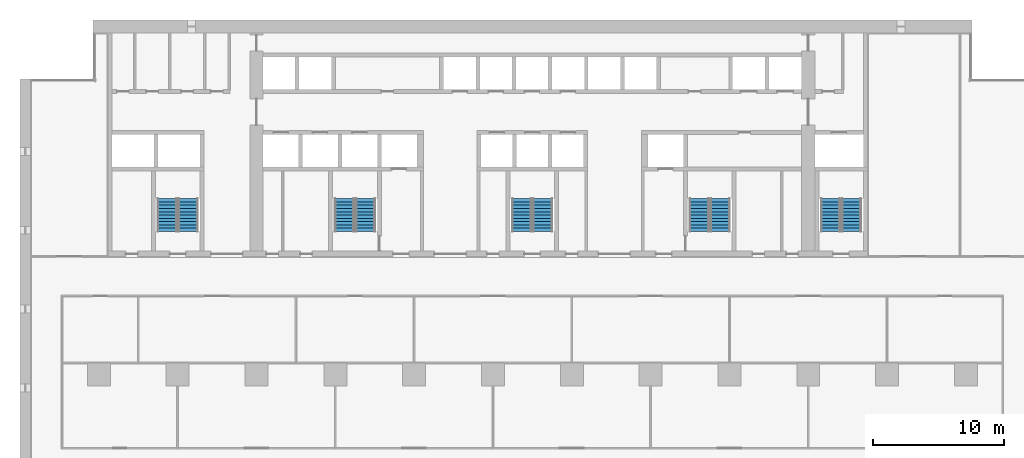
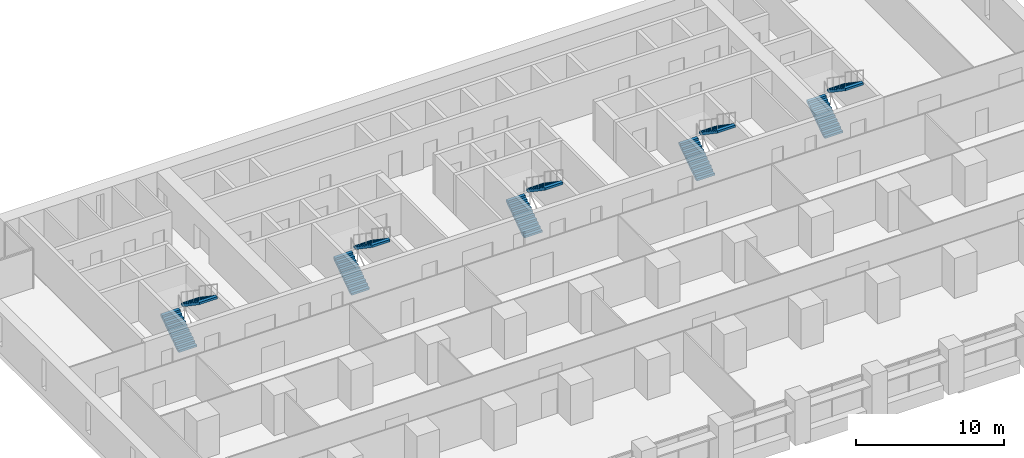
# One storey, part 14 of 18: 10 stair flights, 5 elements without a shape of their own.
"""IFC4 building model written with IfcOpenShell, lengths in metres."""

from ifc_helpers import new_model, si_unit, direction, frame, origin, place, context, subcontext, project, spatial, polyline, outline, extrude, material, type_object, element, aggregate, save


model = new_model("IFC4")

# Units and contexts
model_context = context("Model", 3, precision=1e-05, world=origin(), true_north=direction((0.0, 1.0)))
body_context = subcontext(model_context, "Body", "Model", "MODEL_VIEW")
ifc_project = project(units=[si_unit("LENGTHUNIT", "METRE"), si_unit("AREAUNIT", "SQUARE_METRE"), si_unit("VOLUMEUNIT", "CUBIC_METRE"), si_unit("PLANEANGLEUNIT", "RADIAN"), si_unit("MASSUNIT", "GRAM", prefix="KILO")], contexts=[model_context])

# Site, building, storey
site_placement = place(None, origin())
site = spatial("IfcSite", under=ifc_project, at=site_placement, CompositionType="ELEMENT")
building_placement = place(site_placement, origin())
building = spatial("IfcBuilding", under=site, at=building_placement, Name="Calvaro Tower", CompositionType="ELEMENT")
storey_placement = place(building_placement, frame((0.0, 0.0, 37.5)))
storey = spatial("IfcBuildingStorey", under=building, at=storey_placement, Name="L08", CompositionType="ELEMENT", Elevation=37.5)

# Stair, stair flights
ifc_material_1 = material(Name="Concrete C40/50", Category="concrete")
stair_type = type_object("IfcStairType", Name="Exit stair 1400 2 flights", PredefinedType="HALF_TURN_STAIR", material=ifc_material_1)
stair_1_placement = place(storey_placement, origin())
stair_1 = element("IfcStair", 1, at=stair_1_placement, inside=storey, type_object=stair_type, Name="Exit stair S1", PredefinedType="HALF_TURN_STAIR")
ifc_material_2 = material(Name="Concrete C40/50", Category="concrete")
stair_flight_type = type_object("IfcStairFlightType", Name="Stair flight", PredefinedType="STRAIGHT", material=ifc_material_2)
stair_flight_1_placement = place(storey_placement, frame((11.199951171875, 29.89990234375, 0.0), z_axis=(0.0, 0.0, 1.0), x_axis=(0.0, 1.0, 0.0)))
stair_flight_1 = element("IfcStairFlight", 2, at=stair_flight_1_placement, type_object=stair_flight_type, Name="Exit stair 1, flight 1", NumberOfRisers=11, NumberOfTreads=10, PredefinedType="STRAIGHT", RiserHeight=0.170454545, TreadLength=0.25, context=body_context, shape_type="SweptSolid", body=[
    extrude(outline(polyline([(0.0, 0.0), (0.0, 0.17041015625), (0.25, 0.17041015625), (0.25, 0.3408203125), (0.5, 0.3408203125), (0.5, 0.511474609375), (0.75, 0.511474609375), (0.75, 0.681884765625), (1.0, 0.681884765625), (1.0, 0.852294921875), (1.25, 0.852294921875), (1.25, 1.022705078125), (1.5, 1.022705078125), (1.5, 1.193115234375), (1.75, 1.193115234375), (1.75, 1.363525390625), (2.0, 1.363525390625), (2.0, 1.5341796875), (2.25, 1.5341796875), (2.25, 1.70458984375), (2.5, 1.70458984375), (2.5, 1.875), (2.5, 1.523193359375), (0.26611328125, 0.0), (0.0, 0.0)])), frame((0.0, 0.699951171875, 0.0), z_axis=(0.0, -1.0, 0.0), x_axis=(1.0, 0.0, 0.0)), (0.0, 0.0, 1.0), 1.39990234375),
])
stair_flight_2_placement = place(storey_placement, frame((12.800048828125, 32.39990234375, 1.875), z_axis=(0.0, 0.0, 1.0), x_axis=(0.0, -1.0, 0.0)))
stair_flight_2 = element("IfcStairFlight", 3, at=stair_flight_2_placement, type_object=stair_flight_type, Name="Exit stair 1, flight 2", NumberOfRisers=11, NumberOfTreads=10, PredefinedType="STRAIGHT", RiserHeight=0.170454545, TreadLength=0.25, context=body_context, shape_type="SweptSolid", body=[
    extrude(outline(polyline([(0.0, 0.0), (0.0, 0.17041015625), (0.25, 0.17041015625), (0.25, 0.3408203125), (0.5, 0.3408203125), (0.5, 0.511474609375), (0.75, 0.511474609375), (0.75, 0.681884765625), (1.0, 0.681884765625), (1.0, 0.852294921875), (1.25, 0.852294921875), (1.25, 1.022705078125), (1.5, 1.022705078125), (1.5, 1.193115234375), (1.75, 1.193115234375), (1.75, 1.363525390625), (2.0, 1.363525390625), (2.0, 1.5341796875), (2.25, 1.5341796875), (2.25, 1.70458984375), (2.5, 1.70458984375), (2.5, 1.875), (2.5, 1.523193359375), (0.26611328125, 0.0), (0.0, 0.0)])), frame((0.0, 0.699951171875, 0.0), z_axis=(0.0, -1.0, 0.0), x_axis=(1.0, 0.0, 0.0)), (0.0, 0.0, 1.0), 1.39990234375),
])
aggregate(stair_1, [stair_flight_1, stair_flight_2])

stair_2_placement = place(storey_placement, origin())
stair_2 = element("IfcStair", 4, at=stair_2_placement, inside=storey, type_object=stair_type, Name="Exit stair S2", PredefinedType="HALF_TURN_STAIR")
stair_flight_3_placement = place(storey_placement, frame((24.699951171875, 29.89990234375, 0.0), z_axis=(0.0, 0.0, 1.0), x_axis=(0.0, 1.0, 0.0)))
stair_flight_3 = element("IfcStairFlight", 5, at=stair_flight_3_placement, type_object=stair_flight_type, Name="Exit stair 2, flight 1", NumberOfRisers=11, NumberOfTreads=10, PredefinedType="STRAIGHT", RiserHeight=0.170454545, TreadLength=0.25, context=body_context, shape_type="SweptSolid", body=[
    extrude(outline(polyline([(0.0, 0.0), (0.0, 0.17041015625), (0.25, 0.17041015625), (0.25, 0.3408203125), (0.5, 0.3408203125), (0.5, 0.511474609375), (0.75, 0.511474609375), (0.75, 0.681884765625), (1.0, 0.681884765625), (1.0, 0.852294921875), (1.25, 0.852294921875), (1.25, 1.022705078125), (1.5, 1.022705078125), (1.5, 1.193115234375), (1.75, 1.193115234375), (1.75, 1.363525390625), (2.0, 1.363525390625), (2.0, 1.5341796875), (2.25, 1.5341796875), (2.25, 1.70458984375), (2.5, 1.70458984375), (2.5, 1.875), (2.5, 1.523193359375), (0.26611328125, 0.0), (0.0, 0.0)])), frame((0.0, 0.699951171875, 0.0), z_axis=(0.0, -1.0, 0.0), x_axis=(1.0, 0.0, 0.0)), (0.0, 0.0, 1.0), 1.39990234375),
])
stair_flight_4_placement = place(storey_placement, frame((26.300048828125, 32.39990234375, 1.875), z_axis=(0.0, 0.0, 1.0), x_axis=(0.0, -1.0, 0.0)))
stair_flight_4 = element("IfcStairFlight", 6, at=stair_flight_4_placement, type_object=stair_flight_type, Name="Exit stair 2, flight 2", NumberOfRisers=11, NumberOfTreads=10, PredefinedType="STRAIGHT", RiserHeight=0.170454545, TreadLength=0.25, context=body_context, shape_type="SweptSolid", body=[
    extrude(outline(polyline([(0.0, 0.0), (0.0, 0.17041015625), (0.25, 0.17041015625), (0.25, 0.3408203125), (0.5, 0.3408203125), (0.5, 0.511474609375), (0.75, 0.511474609375), (0.75, 0.681884765625), (1.0, 0.681884765625), (1.0, 0.852294921875), (1.25, 0.852294921875), (1.25, 1.022705078125), (1.5, 1.022705078125), (1.5, 1.193115234375), (1.75, 1.193115234375), (1.75, 1.363525390625), (2.0, 1.363525390625), (2.0, 1.5341796875), (2.25, 1.5341796875), (2.25, 1.70458984375), (2.5, 1.70458984375), (2.5, 1.875), (2.5, 1.523193359375), (0.26611328125, 0.0), (0.0, 0.0)])), frame((0.0, 0.699951171875, 0.0), z_axis=(0.0, -1.0, 0.0), x_axis=(1.0, 0.0, 0.0)), (0.0, 0.0, 1.0), 1.39990234375),
])
aggregate(stair_2, [stair_flight_3, stair_flight_4])

stair_3_placement = place(storey_placement, origin())
stair_3 = element("IfcStair", 7, at=stair_3_placement, inside=storey, type_object=stair_type, Name="Exit stair S3", PredefinedType="HALF_TURN_STAIR")
stair_flight_5_placement = place(storey_placement, frame((38.199951171875, 29.89990234375, 0.0), z_axis=(0.0, 0.0, 1.0), x_axis=(0.0, 1.0, 0.0)))
stair_flight_5 = element("IfcStairFlight", 8, at=stair_flight_5_placement, type_object=stair_flight_type, Name="Exit stair 3, flight 1", NumberOfRisers=11, NumberOfTreads=10, PredefinedType="STRAIGHT", RiserHeight=0.170454545, TreadLength=0.25, context=body_context, shape_type="SweptSolid", body=[
    extrude(outline(polyline([(0.0, 0.0), (0.0, 0.17041015625), (0.25, 0.17041015625), (0.25, 0.3408203125), (0.5, 0.3408203125), (0.5, 0.511474609375), (0.75, 0.511474609375), (0.75, 0.681884765625), (1.0, 0.681884765625), (1.0, 0.852294921875), (1.25, 0.852294921875), (1.25, 1.022705078125), (1.5, 1.022705078125), (1.5, 1.193115234375), (1.75, 1.193115234375), (1.75, 1.363525390625), (2.0, 1.363525390625), (2.0, 1.5341796875), (2.25, 1.5341796875), (2.25, 1.70458984375), (2.5, 1.70458984375), (2.5, 1.875), (2.5, 1.523193359375), (0.26611328125, 0.0), (0.0, 0.0)])), frame((0.0, 0.699951171875, 0.0), z_axis=(0.0, -1.0, 0.0), x_axis=(1.0, 0.0, 0.0)), (0.0, 0.0, 1.0), 1.39990234375),
])
stair_flight_6_placement = place(storey_placement, frame((39.800048828125, 32.39990234375, 1.875), z_axis=(0.0, 0.0, 1.0), x_axis=(0.0, -1.0, 0.0)))
stair_flight_6 = element("IfcStairFlight", 9, at=stair_flight_6_placement, type_object=stair_flight_type, Name="Exit stair 3, flight 2", NumberOfRisers=11, NumberOfTreads=10, PredefinedType="STRAIGHT", RiserHeight=0.170454545, TreadLength=0.25, context=body_context, shape_type="SweptSolid", body=[
    extrude(outline(polyline([(0.0, 0.0), (0.0, 0.17041015625), (0.25, 0.17041015625), (0.25, 0.3408203125), (0.5, 0.3408203125), (0.5, 0.511474609375), (0.75, 0.511474609375), (0.75, 0.681884765625), (1.0, 0.681884765625), (1.0, 0.852294921875), (1.25, 0.852294921875), (1.25, 1.022705078125), (1.5, 1.022705078125), (1.5, 1.193115234375), (1.75, 1.193115234375), (1.75, 1.363525390625), (2.0, 1.363525390625), (2.0, 1.5341796875), (2.25, 1.5341796875), (2.25, 1.70458984375), (2.5, 1.70458984375), (2.5, 1.875), (2.5, 1.523193359375), (0.26611328125, 0.0), (0.0, 0.0)])), frame((0.0, 0.699951171875, 0.0), z_axis=(0.0, -1.0, 0.0), x_axis=(1.0, 0.0, 0.0)), (0.0, 0.0, 1.0), 1.39990234375),
])
aggregate(stair_3, [stair_flight_5, stair_flight_6])

stair_4_placement = place(storey_placement, origin())
stair_4 = element("IfcStair", 10, at=stair_4_placement, inside=storey, type_object=stair_type, Name="Exit stair S4", PredefinedType="HALF_TURN_STAIR")
stair_flight_7_placement = place(storey_placement, frame((51.699951171875, 29.89990234375, 0.0), z_axis=(0.0, 0.0, 1.0), x_axis=(0.0, 1.0, 0.0)))
stair_flight_7 = element("IfcStairFlight", 11, at=stair_flight_7_placement, type_object=stair_flight_type, Name="Exit stair 4, flight 1", NumberOfRisers=11, NumberOfTreads=10, PredefinedType="STRAIGHT", RiserHeight=0.170454545, TreadLength=0.25, context=body_context, shape_type="SweptSolid", body=[
    extrude(outline(polyline([(0.0, 0.0), (0.0, 0.17041015625), (0.25, 0.17041015625), (0.25, 0.3408203125), (0.5, 0.3408203125), (0.5, 0.511474609375), (0.75, 0.511474609375), (0.75, 0.681884765625), (1.0, 0.681884765625), (1.0, 0.852294921875), (1.25, 0.852294921875), (1.25, 1.022705078125), (1.5, 1.022705078125), (1.5, 1.193115234375), (1.75, 1.193115234375), (1.75, 1.363525390625), (2.0, 1.363525390625), (2.0, 1.5341796875), (2.25, 1.5341796875), (2.25, 1.70458984375), (2.5, 1.70458984375), (2.5, 1.875), (2.5, 1.523193359375), (0.26611328125, 0.0), (0.0, 0.0)])), frame((0.0, 0.699951171875, 0.0), z_axis=(0.0, -1.0, 0.0), x_axis=(1.0, 0.0, 0.0)), (0.0, 0.0, 1.0), 1.39990234375),
])
stair_flight_8_placement = place(storey_placement, frame((53.300048828125, 32.39990234375, 1.875), z_axis=(0.0, 0.0, 1.0), x_axis=(0.0, -1.0, 0.0)))
stair_flight_8 = element("IfcStairFlight", 12, at=stair_flight_8_placement, type_object=stair_flight_type, Name="Exit stair 4, flight 2", NumberOfRisers=11, NumberOfTreads=10, PredefinedType="STRAIGHT", RiserHeight=0.170454545, TreadLength=0.25, context=body_context, shape_type="SweptSolid", body=[
    extrude(outline(polyline([(0.0, 0.0), (0.0, 0.17041015625), (0.25, 0.17041015625), (0.25, 0.3408203125), (0.5, 0.3408203125), (0.5, 0.511474609375), (0.75, 0.511474609375), (0.75, 0.681884765625), (1.0, 0.681884765625), (1.0, 0.852294921875), (1.25, 0.852294921875), (1.25, 1.022705078125), (1.5, 1.022705078125), (1.5, 1.193115234375), (1.75, 1.193115234375), (1.75, 1.363525390625), (2.0, 1.363525390625), (2.0, 1.5341796875), (2.25, 1.5341796875), (2.25, 1.70458984375), (2.5, 1.70458984375), (2.5, 1.875), (2.5, 1.523193359375), (0.26611328125, 0.0), (0.0, 0.0)])), frame((0.0, 0.699951171875, 0.0), z_axis=(0.0, -1.0, 0.0), x_axis=(1.0, 0.0, 0.0)), (0.0, 0.0, 1.0), 1.39990234375),
])
aggregate(stair_4, [stair_flight_7, stair_flight_8])

stair_5_placement = place(storey_placement, origin())
stair_5 = element("IfcStair", 13, at=stair_5_placement, inside=storey, type_object=stair_type, Name="Exit stair S5", PredefinedType="HALF_TURN_STAIR")
stair_flight_9_placement = place(storey_placement, frame((61.699951171875, 29.89990234375, 0.0), z_axis=(0.0, 0.0, 1.0), x_axis=(0.0, 1.0, 0.0)))
stair_flight_9 = element("IfcStairFlight", 14, at=stair_flight_9_placement, type_object=stair_flight_type, Name="Exit stair 5, flight 1", NumberOfRisers=11, NumberOfTreads=10, PredefinedType="STRAIGHT", RiserHeight=0.170454545, TreadLength=0.25, context=body_context, shape_type="SweptSolid", body=[
    extrude(outline(polyline([(0.0, 0.0), (0.0, 0.17041015625), (0.25, 0.17041015625), (0.25, 0.3408203125), (0.5, 0.3408203125), (0.5, 0.511474609375), (0.75, 0.511474609375), (0.75, 0.681884765625), (1.0, 0.681884765625), (1.0, 0.852294921875), (1.25, 0.852294921875), (1.25, 1.022705078125), (1.5, 1.022705078125), (1.5, 1.193115234375), (1.75, 1.193115234375), (1.75, 1.363525390625), (2.0, 1.363525390625), (2.0, 1.5341796875), (2.25, 1.5341796875), (2.25, 1.70458984375), (2.5, 1.70458984375), (2.5, 1.875), (2.5, 1.523193359375), (0.26611328125, 0.0), (0.0, 0.0)])), frame((0.0, 0.699951171875, 0.0), z_axis=(0.0, -1.0, 0.0), x_axis=(1.0, 0.0, 0.0)), (0.0, 0.0, 1.0), 1.39990234375),
])
stair_flight_10_placement = place(storey_placement, frame((63.300048828125, 32.39990234375, 1.875), z_axis=(0.0, 0.0, 1.0), x_axis=(0.0, -1.0, 0.0)))
stair_flight_10 = element("IfcStairFlight", 15, at=stair_flight_10_placement, type_object=stair_flight_type, Name="Exit stair 5, flight 2", NumberOfRisers=11, NumberOfTreads=10, PredefinedType="STRAIGHT", RiserHeight=0.170454545, TreadLength=0.25, context=body_context, shape_type="SweptSolid", body=[
    extrude(outline(polyline([(0.0, 0.0), (0.0, 0.17041015625), (0.25, 0.17041015625), (0.25, 0.3408203125), (0.5, 0.3408203125), (0.5, 0.511474609375), (0.75, 0.511474609375), (0.75, 0.681884765625), (1.0, 0.681884765625), (1.0, 0.852294921875), (1.25, 0.852294921875), (1.25, 1.022705078125), (1.5, 1.022705078125), (1.5, 1.193115234375), (1.75, 1.193115234375), (1.75, 1.363525390625), (2.0, 1.363525390625), (2.0, 1.5341796875), (2.25, 1.5341796875), (2.25, 1.70458984375), (2.5, 1.70458984375), (2.5, 1.875), (2.5, 1.523193359375), (0.26611328125, 0.0), (0.0, 0.0)])), frame((0.0, 0.699951171875, 0.0), z_axis=(0.0, -1.0, 0.0), x_axis=(1.0, 0.0, 0.0)), (0.0, 0.0, 1.0), 1.39990234375),
])
aggregate(stair_5, [stair_flight_9, stair_flight_10])

save(model, "model.ifc")
